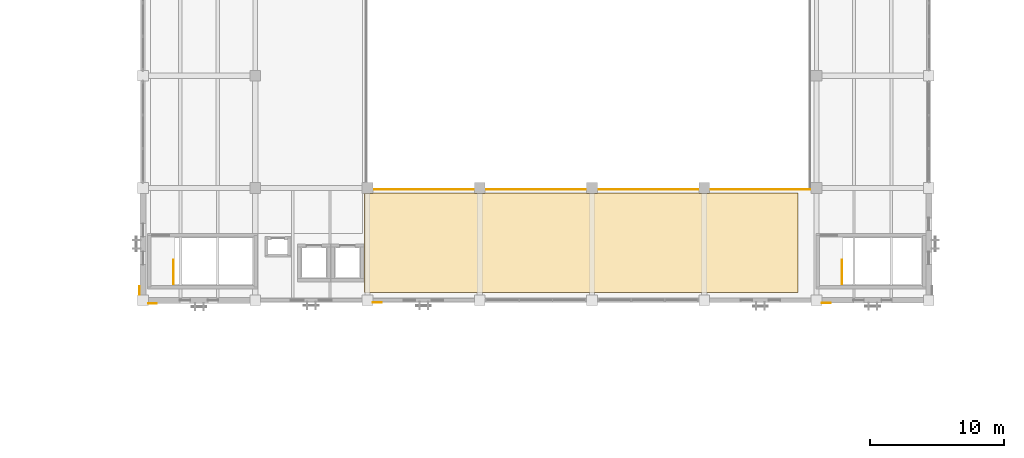
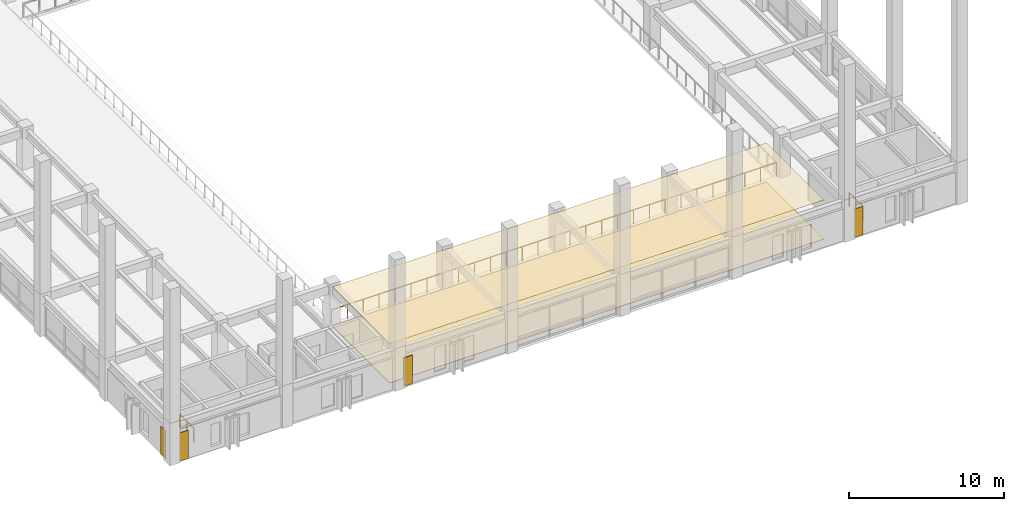
# One storey, part 54 of 64: 6 coverings, 3 railings.
"""IFC4 building model written with IfcOpenShell, lengths in metres."""

from ifc_helpers import new_model, si_unit, direction, frame, origin, origin_2d, place, context, subcontext, project, spatial, polyline, circle, outline, extrude, material, layer, layer_set, type_object, element, save


model = new_model("IFC4")

# Units and contexts
model_context = context("Model", 3, precision=1e-05, world=origin(), true_north=direction((0.0, 1.0)))
body_context = subcontext(model_context, "Body", "Model", "MODEL_VIEW")
ifc_project = project(units=[si_unit("LENGTHUNIT", "METRE"), si_unit("AREAUNIT", "SQUARE_METRE"), si_unit("VOLUMEUNIT", "CUBIC_METRE"), si_unit("PLANEANGLEUNIT", "RADIAN"), si_unit("MASSUNIT", "GRAM", prefix="KILO")], contexts=[model_context])

# Site, building, storey
site_placement = place(None, origin())
site = spatial("IfcSite", under=ifc_project, at=site_placement, CompositionType="ELEMENT")
building_placement = place(site_placement, origin())
building = spatial("IfcBuilding", under=site, at=building_placement, Name="Cumbredor Promenade Congress Hotel", CompositionType="ELEMENT")
storey_placement = place(building_placement, frame((0.0, 0.0, 18.47998046875)))
storey = spatial("IfcBuildingStorey", under=building, at=storey_placement, Name="L05", CompositionType="ELEMENT", Elevation=18.47998046875)

# Coverings
ifc_material_1 = material(Name="Acoustic mineral-fiber and gypsum ceiling")
ifc_layer_1 = layer(ifc_material_1, 0.01806640625, Name="Acoustic mineral-fiber and gypsum ceiling")
ifc_layer_set_1 = layer_set([ifc_layer_1], Name="Acoustic mineral-fiber and gypsum ceiling")
covering_type_1 = type_object("IfcCoveringType", Name="Acoustic Perforated Gypsum Ceiling CLG-01 18mm", PredefinedType="CEILING", material=ifc_layer_set_1)
covering_1_placement = place(storey_placement, frame((0.0, 0.0, 3.10205078125)))
element("IfcCovering", 1, at=covering_1_placement, inside=storey, type_object=covering_type_1, Name="L05 Plenary South Concourse Corridor Acoustic Ceiling", PredefinedType="CEILING", context=body_context, shape_type="SweptSolid", body=[
    extrude(outline(polyline([(33.195068359375, 16.419921875), (33.195068359375, 16.39501953125), (34.0048828125, 16.39501953125), (34.0048828125, 16.419921875), (41.594970703125, 16.419921875), (41.594970703125, 16.39501953125), (42.405029296875, 16.39501953125), (42.405029296875, 16.419921875), (49.9951171875, 16.419921875), (49.9951171875, 16.39501953125), (50.804931640625, 16.39501953125), (50.804931640625, 16.419921875), (57.419921875, 16.419921875), (57.419921875, 8.97998046875), (24.97998046875, 8.97998046875), (24.97998046875, 16.39501953125), (25.60498046875, 16.39501953125), (25.60498046875, 16.419921875), (33.195068359375, 16.419921875)])), origin(), (0.0, 0.0, 1.0), 0.01806640625),
])
ifc_material_2 = material(Name="Precast concrete C40/50", Category="concrete")
ifc_layer_2 = layer(ifc_material_2, 0.044921875, Name="Precast concrete C40/50", Category="concrete")
ifc_layer_set_2 = layer_set([ifc_layer_2], Name="Precast concrete C40/50")
covering_type_2 = type_object("IfcCoveringType", Name="Board-Formed Architectural Cladding Panel 45mm", PredefinedType="CLADDING", material=ifc_layer_set_2)
covering_2_placement = place(storey_placement, origin())
element("IfcCovering", 2, at=covering_2_placement, inside=storey, type_object=covering_type_2, Name="L05 Facade Stone Cladding Pier 188", PredefinedType="CLADDING", context=body_context, shape_type="SweptSolid", body=[
    extrude(outline(polyline([(25.60107421875, 8.260009765625), (26.2509765625, 8.260009765625), (26.2509765625, 8.215087890625), (25.60107421875, 8.215087890625), (25.60107421875, 8.260009765625)])), origin(), (0.0, 0.0, 1.0), 2.25),
])

# Railings
ifc_material_3 = material(Name="Brushed stainless steel", Category="steel")
railing_type = type_object("IfcRailingType", Name="Interior Void & Stair Guardrail GR-1100", PredefinedType="GUARDRAIL", material=ifc_material_3)
for number, where, name in (
    (3, (10.699951171875, 9.60009765625, 0.0), "L05 ST-04 top well guard 1"),
    (4, (60.699951171875, 9.60009765625, 0.0), "L05 ST-05 top well guard 1"),
):
    element("IfcRailing", number, at=place(storey_placement, frame(where)), inside=storey, type_object=railing_type, Name=name, PredefinedType="GUARDRAIL", context=body_context, shape_type="SweptSolid", body=[
        extrude(circle(Radius=0.02392578125, at=origin_2d()), frame((0.0, 0.0, 1.09619140625), z_axis=(0.0, 1.0, 0.0), x_axis=(-1.0, 0.0, 0.0)), (0.0, 0.0, 1.0), 1.7998046875),
        extrude(circle(Radius=0.02099609375, at=origin_2d()), origin(), (0.0, 0.0, 1.0), 1.072021484375),
        extrude(circle(Radius=0.02099609375, at=origin_2d()), frame((0.0, 0.89990234375, 0.0)), (0.0, 0.0, 1.0), 1.072021484375),
        extrude(circle(Radius=0.02099609375, at=origin_2d()), frame((0.0, 1.7998046875, 0.0)), (0.0, 0.0, 1.0), 1.072021484375),
    ])
railing_placement = place(storey_placement, frame((25.080078125, 16.679931640625, 0.0)))
element("IfcRailing", 5, at=railing_placement, inside=storey, type_object=railing_type, Name="L05 v1_plenary_bowl Void Perimeter Guardrail 1", PredefinedType="GUARDRAIL", context=body_context, shape_type="SweptSolid", body=[
    extrude(circle(Radius=0.02392578125, at=origin_2d()), frame((0.0, 0.0, 1.09619140625), z_axis=(1.0, 0.0, 0.0), x_axis=(0.0, 1.0, 0.0)), (0.0, 0.0, 1.0), 33.239990234375),
    extrude(circle(Radius=0.02099609375, at=origin_2d()), origin(), (0.0, 0.0, 1.0), 1.072021484375),
    extrude(circle(Radius=0.02099609375, at=origin_2d()), frame((1.187255859375, 0.0, 0.0)), (0.0, 0.0, 1.0), 1.072021484375),
    extrude(circle(Radius=0.02099609375, at=origin_2d()), frame((2.374267578125, 0.0, 0.0)), (0.0, 0.0, 1.0), 1.072021484375),
    extrude(circle(Radius=0.02099609375, at=origin_2d()), frame((3.5615234375, 0.0, 0.0)), (0.0, 0.0, 1.0), 1.072021484375),
    extrude(circle(Radius=0.02099609375, at=origin_2d()), frame((4.74853515625, 0.0, 0.0)), (0.0, 0.0, 1.0), 1.072021484375),
    extrude(circle(Radius=0.02099609375, at=origin_2d()), frame((5.935791015625, 0.0, 0.0)), (0.0, 0.0, 1.0), 1.072021484375),
    extrude(circle(Radius=0.02099609375, at=origin_2d()), frame((7.122802734375, 0.0, 0.0)), (0.0, 0.0, 1.0), 1.072021484375),
    extrude(circle(Radius=0.02099609375, at=origin_2d()), frame((8.31005859375, 0.0, 0.0)), (0.0, 0.0, 1.0), 1.072021484375),
    extrude(circle(Radius=0.02099609375, at=origin_2d()), frame((9.4970703125, 0.0, 0.0)), (0.0, 0.0, 1.0), 1.072021484375),
    extrude(circle(Radius=0.02099609375, at=origin_2d()), frame((10.684326171875, 0.0, 0.0)), (0.0, 0.0, 1.0), 1.072021484375),
    extrude(circle(Radius=0.02099609375, at=origin_2d()), frame((11.871337890625, 0.0, 0.0)), (0.0, 0.0, 1.0), 1.072021484375),
    extrude(circle(Radius=0.02099609375, at=origin_2d()), frame((13.05859375, 0.0, 0.0)), (0.0, 0.0, 1.0), 1.072021484375),
    extrude(circle(Radius=0.02099609375, at=origin_2d()), frame((14.24560546875, 0.0, 0.0)), (0.0, 0.0, 1.0), 1.072021484375),
    extrude(circle(Radius=0.02099609375, at=origin_2d()), frame((15.432861328125, 0.0, 0.0)), (0.0, 0.0, 1.0), 1.072021484375),
    extrude(circle(Radius=0.02099609375, at=origin_2d()), frame((16.6201171875, 0.0, 0.0)), (0.0, 0.0, 1.0), 1.072021484375),
    extrude(circle(Radius=0.02099609375, at=origin_2d()), frame((17.80712890625, 0.0, 0.0)), (0.0, 0.0, 1.0), 1.072021484375),
    extrude(circle(Radius=0.02099609375, at=origin_2d()), frame((18.994384765625, 0.0, 0.0)), (0.0, 0.0, 1.0), 1.072021484375),
    extrude(circle(Radius=0.02099609375, at=origin_2d()), frame((20.181396484375, 0.0, 0.0)), (0.0, 0.0, 1.0), 1.072021484375),
    extrude(circle(Radius=0.02099609375, at=origin_2d()), frame((21.36865234375, 0.0, 0.0)), (0.0, 0.0, 1.0), 1.072021484375),
    extrude(circle(Radius=0.02099609375, at=origin_2d()), frame((22.5556640625, 0.0, 0.0)), (0.0, 0.0, 1.0), 1.072021484375),
    extrude(circle(Radius=0.02099609375, at=origin_2d()), frame((23.742919921875, 0.0, 0.0)), (0.0, 0.0, 1.0), 1.072021484375),
    extrude(circle(Radius=0.02099609375, at=origin_2d()), frame((24.929931640625, 0.0, 0.0)), (0.0, 0.0, 1.0), 1.072021484375),
    extrude(circle(Radius=0.02099609375, at=origin_2d()), frame((26.1171875, 0.0, 0.0)), (0.0, 0.0, 1.0), 1.072021484375),
    extrude(circle(Radius=0.02099609375, at=origin_2d()), frame((27.30419921875, 0.0, 0.0)), (0.0, 0.0, 1.0), 1.072021484375),
    extrude(circle(Radius=0.02099609375, at=origin_2d()), frame((28.491455078125, 0.0, 0.0)), (0.0, 0.0, 1.0), 1.072021484375),
    extrude(circle(Radius=0.02099609375, at=origin_2d()), frame((29.678466796875, 0.0, 0.0)), (0.0, 0.0, 1.0), 1.072021484375),
    extrude(circle(Radius=0.02099609375, at=origin_2d()), frame((30.86572265625, 0.0, 0.0)), (0.0, 0.0, 1.0), 1.072021484375),
    extrude(circle(Radius=0.02099609375, at=origin_2d()), frame((32.052734375, 0.0, 0.0)), (0.0, 0.0, 1.0), 1.072021484375),
    extrude(circle(Radius=0.02099609375, at=origin_2d()), frame((33.239990234375, 0.0, 0.0)), (0.0, 0.0, 1.0), 1.072021484375),
])

# Coverings
ifc_material_4 = material(Name="Porcelain stoneware tile", Category="masonry")
ifc_layer_3 = layer(ifc_material_4, 0.030029296875, Name="Porcelain stoneware tile", Category="masonry")
ifc_layer_set_3 = layer_set([ifc_layer_3], Name="Porcelain stoneware tile")
covering_type_3 = type_object("IfcCoveringType", Name="Porcelain Stoneware Flooring FLR-03 30mm", PredefinedType="FLOORING", material=ifc_layer_set_3)
covering_3_placement = place(storey_placement, origin())
element("IfcCovering", 6, at=covering_3_placement, inside=storey, type_object=covering_type_3, Name="L05 Plenary South Concourse Corridor Porcelain Flooring", PredefinedType="FLOORING", context=body_context, shape_type="SweptSolid", body=[
    extrude(outline(polyline([(33.195068359375, 16.419921875), (33.195068359375, 16.39501953125), (34.0048828125, 16.39501953125), (34.0048828125, 16.419921875), (41.594970703125, 16.419921875), (41.594970703125, 16.39501953125), (42.405029296875, 16.39501953125), (42.405029296875, 16.419921875), (49.9951171875, 16.419921875), (49.9951171875, 16.39501953125), (50.804931640625, 16.39501953125), (50.804931640625, 16.419921875), (57.419921875, 16.419921875), (57.419921875, 8.97998046875), (24.97998046875, 8.97998046875), (24.97998046875, 16.39501953125), (25.60498046875, 16.39501953125), (25.60498046875, 16.419921875), (33.195068359375, 16.419921875)])), origin(), (0.0, 0.0, 1.0), 0.030029296875),
])
ifc_material_5 = material(Name="Volcanic andesite ashlar cladding", Category="masonry")
ifc_layer_4 = layer(ifc_material_5, 0.034912109375, Name="Volcanic andesite ashlar cladding", Category="masonry")
ifc_layer_set_4 = layer_set([ifc_layer_4], Name="Volcanic andesite ashlar cladding")
covering_type_4 = type_object("IfcCoveringType", Name="Volcanic Andesite Ashlar Rainscreen Cladding 35mm", PredefinedType="CLADDING", material=ifc_layer_set_4)
covering_4_placement = place(storey_placement, origin())
element("IfcCovering", 7, at=covering_4_placement, inside=storey, type_object=covering_type_4, Name="L05 Facade Stone Cladding Pier 187", PredefinedType="CLADDING", context=body_context, shape_type="SweptSolid", body=[
    extrude(outline(polyline([(8.801025390625, 8.175048828125), (9.450927734375, 8.175048828125), (9.450927734375, 8.139892578125), (8.801025390625, 8.139892578125), (8.801025390625, 8.175048828125)])), origin(), (0.0, 0.0, 1.0), 2.25),
])
covering_5_placement = place(storey_placement, origin())
element("IfcCovering", 8, at=covering_5_placement, inside=storey, type_object=covering_type_4, Name="L05 Facade Stone Cladding Pier 189", PredefinedType="CLADDING", context=body_context, shape_type="SweptSolid", body=[
    extrude(outline(polyline([(59.200927734375, 8.2099609375), (59.85107421875, 8.2099609375), (59.85107421875, 8.175048828125), (59.200927734375, 8.175048828125), (59.200927734375, 8.2099609375)])), origin(), (0.0, 0.0, 1.0), 2.25),
])
covering_6_placement = place(storey_placement, origin())
element("IfcCovering", 9, at=covering_6_placement, inside=storey, type_object=covering_type_4, Name="L05 Facade Stone Cladding Pier 193", PredefinedType="CLADDING", context=body_context, shape_type="SweptSolid", body=[
    extrude(outline(polyline([(8.175048828125, 8.801025390625), (8.175048828125, 9.450927734375), (8.139892578125, 9.450927734375), (8.139892578125, 8.801025390625), (8.175048828125, 8.801025390625)])), origin(), (0.0, 0.0, 1.0), 2.25),
])

save(model, "model.ifc")
